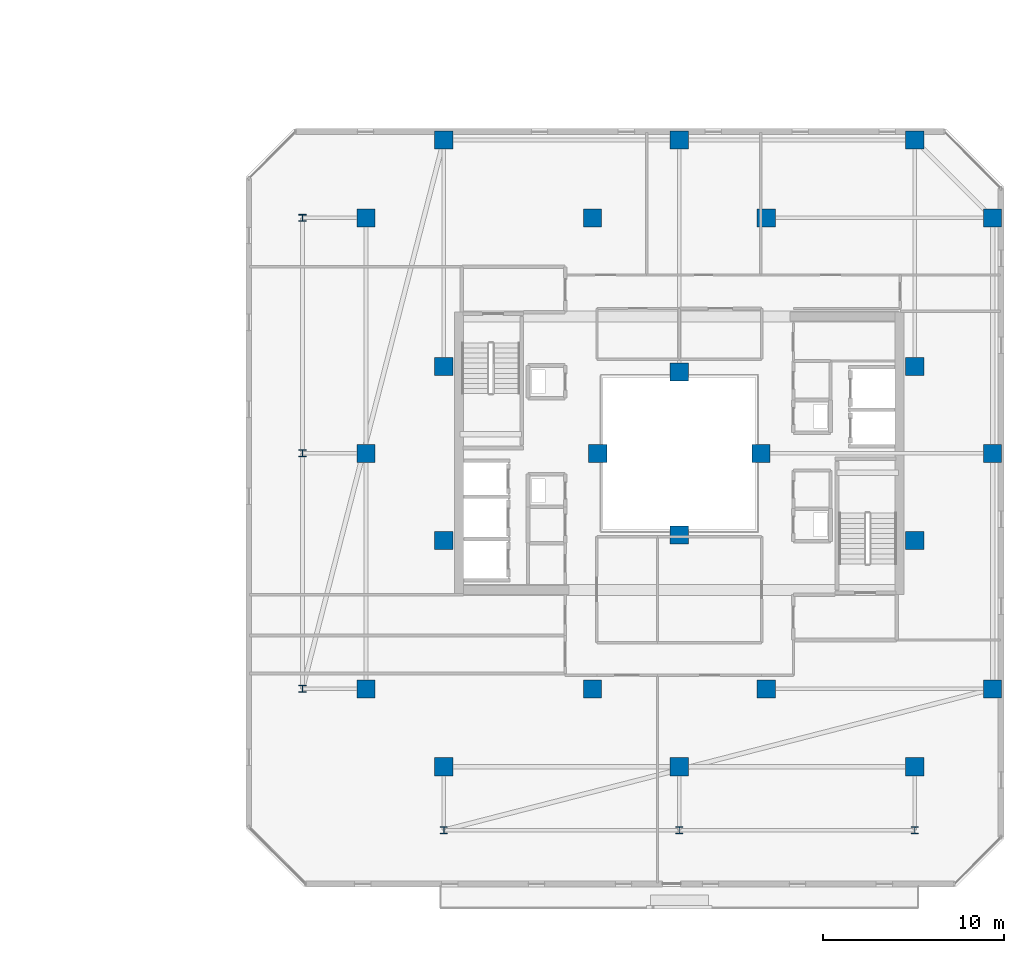
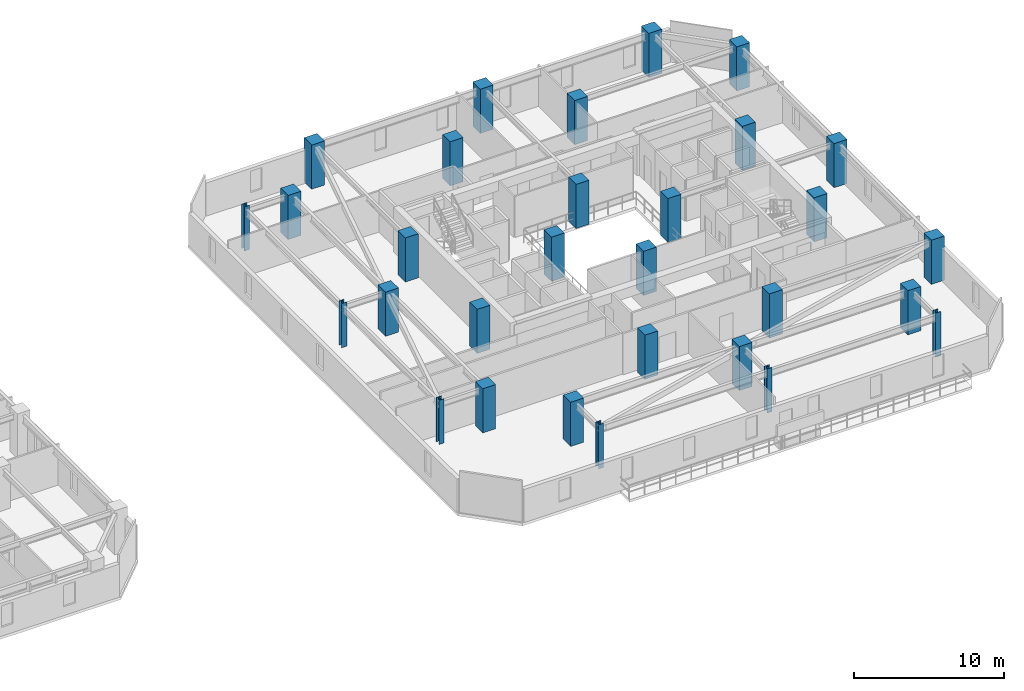
# One storey, part 2 of 33: 30 columns.
"""IFC4 building model written with IfcOpenShell, lengths in metres."""

from ifc_helpers import new_model, si_unit, direction, frame, origin, origin_2d, place, context, subcontext, project, spatial, rectangle, i_section, extrude, material, material_profile, profile_set, type_object, element, save


model = new_model("IFC4")

# Units and contexts
model_context = context("Model", 3, precision=1e-05, world=origin(), true_north=direction((0.0, 1.0)))
body_context = subcontext(model_context, "Body", "Model", "MODEL_VIEW")
ifc_project = project(units=[si_unit("LENGTHUNIT", "METRE"), si_unit("AREAUNIT", "SQUARE_METRE"), si_unit("VOLUMEUNIT", "CUBIC_METRE"), si_unit("PLANEANGLEUNIT", "RADIAN"), si_unit("MASSUNIT", "GRAM", prefix="KILO")], contexts=[model_context])

# Site, building, storey
site_placement = place(None, origin())
site = spatial("IfcSite", under=ifc_project, at=site_placement, CompositionType="ELEMENT")
building_placement = place(site_placement, origin())
building = spatial("IfcBuilding", under=site, at=building_placement, Name="Thornwick Lancets Civic Towers", CompositionType="ELEMENT")
storey_placement = place(building_placement, frame((0.0, 0.0, 214.5)))
storey = spatial("IfcBuildingStorey", under=building, at=storey_placement, Name="L57", CompositionType="ELEMENT", Elevation=214.5)

# Columns
ifc_material_1 = material(Name="Concrete C50/60", Category="concrete")
ifc_material_profile_1 = material_profile(ifc_material_1, rectangle(XDim=1.0, YDim=1.0, at=origin_2d()), Name="RC 1000x1000")
ifc_profile_set_1 = profile_set([ifc_material_profile_1], Name="Concrete C50/60")
column_type_1 = type_object("IfcColumnType", Name="COL_RC_1000", PredefinedType="COLUMN", material=ifc_profile_set_1)
for number, where, z_axis, x_axis, name in (
    (1, (105.800048828125, 14.0, 0.0), (0.0, 0.0, 1.0), (1.0, 0.0, 0.0), "L57 Spine Mega-Column B01"),
    (2, (105.800048828125, 27.0, 0.0), (0.0, 0.0, 1.0), (1.0, 0.0, 0.0), "L57 Spine Mega-Column B02"),
    (3, (105.800048828125, 40.0, 0.0), (0.0, 0.0, 1.0), (1.0, 0.0, 0.0), "L57 Spine Mega-Column B03"),
    (4, (101.5, 44.300048828125, 0.0), (0.0, 0.0, 1.0), (1.0, 0.0, 0.0), "L57 Spine Mega-Column B04"),
    (5, (88.5, 44.300048828125, 0.0), (0.0, 0.0, 1.0), (1.0, 0.0, 0.0), "L57 Spine Mega-Column B05"),
    (6, (75.5, 44.300048828125, 0.0), (0.0, 0.0, 1.0), (1.0, 0.0, 0.0), "L57 Spine Mega-Column B06"),
    (7, (71.199951171875, 14.0, 0.0), (0.0, 0.0, 1.0), (1.0, 0.0, 0.0), "L57 Spine Mega-Column B07"),
    (8, (71.199951171875, 27.0, 0.0), (0.0, 0.0, 1.0), (1.0, 0.0, 0.0), "L57 Spine Mega-Column B08"),
    (9, (71.199951171875, 40.0, 0.0), (0.0, 0.0, 1.0), (1.0, 0.0, 0.0), "L57 Spine Mega-Column B09"),
    (10, (101.5, 9.699951171875, 0.0), (0.0, 0.0, 1.0), (1.0, 0.0, 0.0), "L57 Spine Mega-Column B10"),
    (11, (88.5, 9.699951171875, 0.0), (0.0, 0.0, 1.0), (1.0, 0.0, 0.0), "L57 Spine Mega-Column B11"),
    (12, (75.5, 9.699951171875, 0.0), (0.0, 0.0, 1.0), (1.0, 0.0, 0.0), "L57 Spine Mega-Column B12"),
    (13, (93.300048828125, 14.0, 0.0), (0.0, 0.0, 1.0), (1.0, 0.0, 0.0), "L57 Spine Mega-Column B13"),
    (14, (93.300048828125, 40.0, 0.0), (0.0, 0.0, 1.0), (1.0, 0.0, 0.0), "L57 Spine Mega-Column B14"),
    (15, (83.699951171875, 14.0, 0.0), (0.0, 0.0, 1.0), (1.0, 0.0, 0.0), "L57 Spine Mega-Column B15"),
    (16, (83.699951171875, 40.0, 0.0), (0.0, 0.0, 1.0), (1.0, 0.0, 0.0), "L57 Spine Mega-Column B16"),
    (17, (101.5, 22.199951171875, 0.0), (0.0, 0.0, 1.0), (1.0, 0.0, 0.0), "L57 Spine Mega-Column B17"),
    (18, (101.5, 31.800048828125, 0.0), (0.0, 0.0, 1.0), (1.0, 0.0, 0.0), "L57 Spine Mega-Column B18"),
    (19, (75.5, 22.199951171875, 0.0), (0.0, 0.0, 1.0), (1.0, 0.0, 0.0), "L57 Spine Mega-Column B19"),
    (20, (75.5, 31.800048828125, 0.0), (0.0, 0.0, 1.0), (1.0, 0.0, 0.0), "L57 Spine Mega-Column B20"),
    (21, (93.0, 27.0, 0.0), (0.0, 0.0, 1.0), (1.0, 0.0, 0.0), "L57 Spine Mega-Column B21"),
    (22, (84.0, 27.0, 0.0), (0.0, 0.0, 1.0), (1.0, 0.0, 0.0), "L57 Spine Mega-Column B22"),
    (23, (88.5, 22.5, 0.0), (0.0, 0.0, 1.0), (1.0, 0.0, 0.0), "L57 Spine Mega-Column B23"),
    (24, (88.5, 31.5, 0.0), (0.0, 0.0, 1.0), (1.0, 0.0, 0.0), "L57 Spine Mega-Column B24"),
):
    element("IfcColumn", number, at=place(storey_placement, frame(where, z_axis=z_axis, x_axis=x_axis)), inside=storey, type_object=column_type_1, Name=name, PredefinedType="COLUMN", context=body_context, shape_type="SweptSolid", body=[
        extrude(rectangle(XDim=1.0, YDim=1.0, at=origin_2d()), origin(), (0.0, 0.0, 1.0), 3.60009765625),
    ])
ifc_material_2 = material(Name="Steel S355JR", Category="steel")
ifc_material_profile_2 = material_profile(ifc_material_2, i_section(OverallWidth=0.39892578125, OverallDepth=0.3935546875, WebThickness=0.022705078125, FlangeThickness=0.03662109375, FilletRadius=0.01513671875, at=origin_2d()), Name="UKC 356x406x287")
ifc_profile_set_2 = profile_set([ifc_material_profile_2], Name="Steel S355JR")
column_type_2 = type_object("IfcColumnType", Name="COL_UKC_287", PredefinedType="COLUMN", material=ifc_profile_set_2)
for number, where, z_axis, x_axis, name in (
    (25, (67.699951171875, 14.0, 0.0), (0.0, 0.0, 1.0), (1.0, 0.0, 0.0), "L57 Block Perimeter Column B07"),
    (26, (67.699951171875, 27.0, 0.0), (0.0, 0.0, 1.0), (1.0, 0.0, 0.0), "L57 Block Perimeter Column B08"),
    (27, (67.699951171875, 40.0, 0.0), (0.0, 0.0, 1.0), (1.0, 0.0, 0.0), "L57 Block Perimeter Column B09"),
    (28, (101.5, 6.199951171875, 0.0), (0.0, 0.0, 1.0), (1.0, 0.0, 0.0), "L57 Block Perimeter Column B10"),
    (29, (88.5, 6.199951171875, 0.0), (0.0, 0.0, 1.0), (1.0, 0.0, 0.0), "L57 Block Perimeter Column B11"),
    (30, (75.5, 6.199951171875, 0.0), (0.0, 0.0, 1.0), (1.0, 0.0, 0.0), "L57 Block Perimeter Column B12"),
):
    element("IfcColumn", number, at=place(storey_placement, frame(where, z_axis=z_axis, x_axis=x_axis)), inside=storey, type_object=column_type_2, Name=name, PredefinedType="COLUMN", context=body_context, shape_type="SweptSolid", body=[
        extrude(i_section(OverallWidth=0.39892578125, OverallDepth=0.3935546875, WebThickness=0.022705078125, FlangeThickness=0.03662109375, FilletRadius=0.01513671875, at=origin_2d()), origin(), (0.0, 0.0, 1.0), 3.60009765625),
    ])

save(model, "model.ifc")
